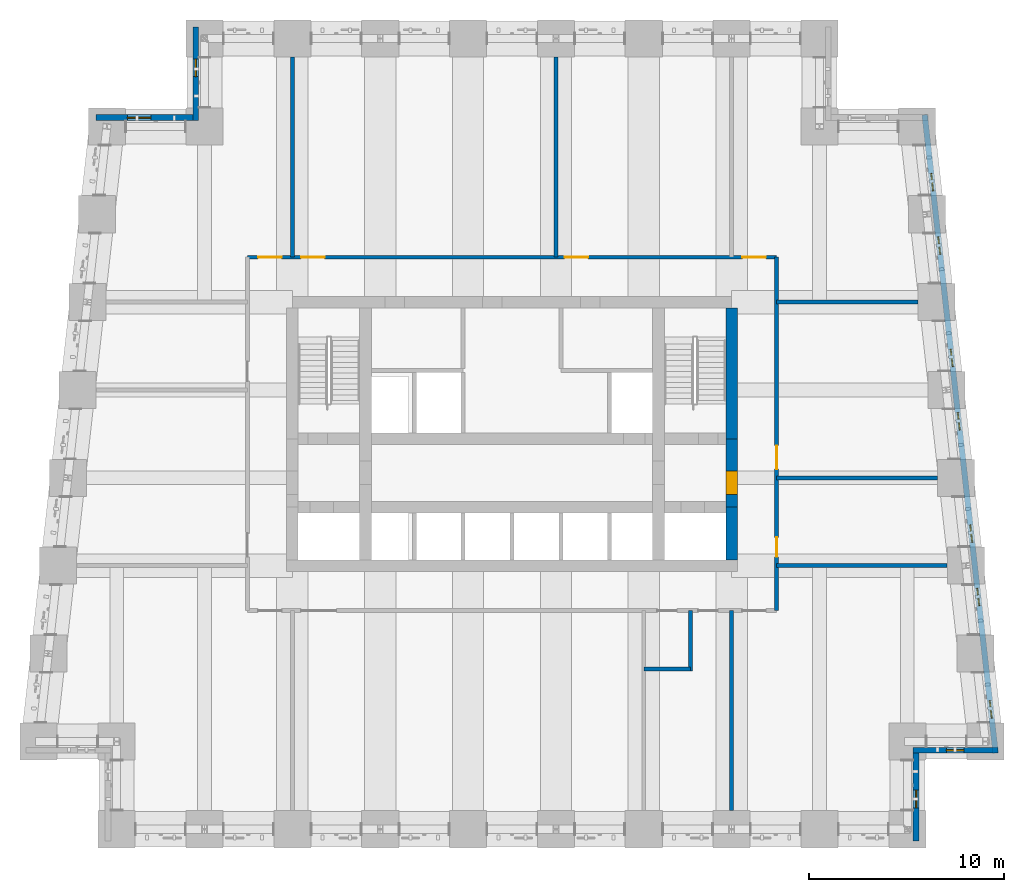
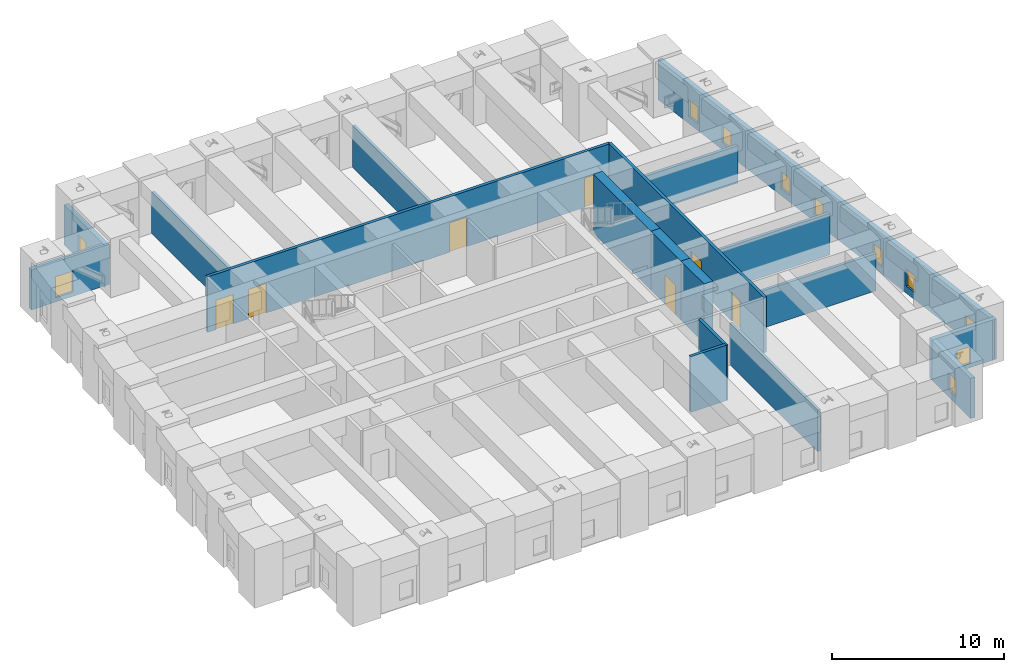
# One storey, part 4 of 16: 18 walls, 11 windows, 7 doors, 18 openings.
"""IFC4 building model written with IfcOpenShell, lengths in metres."""

from ifc_helpers import new_model, si_unit, direction, frame, frame_2d, origin, place, context, subcontext, project, spatial, rectangle, extrude, material, layer, layer_set, type_object, element, fill, save


model = new_model("IFC4")

# Units and contexts
model_context = context("Model", 3, precision=1e-05, world=origin(), true_north=direction((0.0, 1.0)))
body_context = subcontext(model_context, "Body", "Model", "MODEL_VIEW")
ifc_project = project(units=[si_unit("LENGTHUNIT", "METRE"), si_unit("AREAUNIT", "SQUARE_METRE"), si_unit("VOLUMEUNIT", "CUBIC_METRE"), si_unit("PLANEANGLEUNIT", "RADIAN"), si_unit("MASSUNIT", "GRAM", prefix="KILO")], contexts=[model_context])

# Site, building, storey
site_placement = place(None, origin())
site = spatial("IfcSite", under=ifc_project, at=site_placement, CompositionType="ELEMENT")
building_placement = place(site_placement, origin())
building = spatial("IfcBuilding", under=site, at=building_placement, Name="Kilele Tower Hotel", CompositionType="ELEMENT")
storey_placement = place(building_placement, frame((0.0, 0.0, 85.699951171875)))
storey = spatial("IfcBuildingStorey", under=building, at=storey_placement, Name="L21", CompositionType="ELEMENT", Elevation=85.699951171875)

# Wall
ifc_material_1 = material(Name="Concrete C60/75", Category="concrete")
ifc_layer_1 = layer(ifc_material_1, 0.60009765625)
ifc_layer_set_1 = layer_set([ifc_layer_1], Name="Concrete C60/75")
wall_type_1 = type_object("IfcWallType", Name="Core wall 600 C60/75", PredefinedType="SHEAR", material=ifc_layer_set_1)
wall_1_placement = place(storey_placement, frame((36.0, 13.800048828125, 0.0), z_axis=(0.0, 0.0, 1.0), x_axis=(0.0, 1.0, 0.0)))
element("IfcWall", 1, at=wall_1_placement, inside=storey, type_object=wall_type_1, Name="Core wall E1 L21", PredefinedType="SHEAR", context=body_context, shape_type="SweptSolid", body=[
    extrude(rectangle(XDim=2.699951171875, YDim=0.60009765625, at=frame_2d((1.35009765625, 0.0))), origin(), (0.0, 0.0, 1.0), 4.199951171875),
])

# Wall, opening, door
wall_2_placement = place(storey_placement, frame((36.0, 16.5, 0.0), z_axis=(0.0, 0.0, 1.0), x_axis=(0.0, 1.0, 0.0)))
wall_2 = element("IfcWall", 2, at=wall_2_placement, inside=storey, type_object=wall_type_1, Name="Core wall E2 L21", PredefinedType="SHEAR", context=body_context, shape_type="SweptSolid", body=[
    extrude(rectangle(XDim=3.5, YDim=0.60009765625, at=frame_2d((1.75, 0.0))), origin(), (0.0, 0.0, 1.0), 4.199951171875),
])
opening_1_placement = place(wall_2_placement, frame((0.64990234375, 0.0, 0.0)))
opening_1 = element("IfcOpeningElement", 3, at=opening_1_placement, cuts=wall_2, Name="Opening D4", PredefinedType="OPENING", context=body_context, shape_type="SweptSolid", body=[
    extrude(rectangle(XDim=1.199951171875, YDim=2.10009765625, at=frame_2d((0.60009765625, 1.050048828125))), frame((0.0, 0.31005859375, 0.0), z_axis=(0.0, -1.0, 0.0), x_axis=(1.0, 0.0, 0.0)), (0.0, 0.0, 1.0), 0.6201171875),
])
ifc_material_2 = material(Name="Timber door leaf in hardwood frame", Category="wood")
door_type_1 = type_object("IfcDoorType", Name="Firefighting lobby door 1200", OperationType="SINGLE_SWING_LEFT", PredefinedType="DOOR", material=ifc_material_2)
door_1_placement = place(opening_1_placement, origin())
door_1 = element("IfcDoor", 4, at=door_1_placement, inside=storey, type_object=door_type_1, Name="Lobby door L21", OperationType="SINGLE_SWING_LEFT", OverallHeight=2.10009765625, OverallWidth=1.199951171875, PredefinedType="DOOR", context=body_context, shape_type="SweptSolid", body=[
    extrude(rectangle(XDim=1.199951171875, YDim=2.10009765625, at=frame_2d((0.60009765625, 1.050048828125))), frame((0.0, 0.2998046875, 0.0), z_axis=(0.0, -1.0, 0.0), x_axis=(1.0, 0.0, 0.0)), (0.0, 0.0, 1.0), 0.599609375),
])
fill(opening_1, door_1)

# Wall
wall_3_placement = place(storey_placement, frame((36.0, 20.0, 0.0), z_axis=(0.0, 0.0, 1.0), x_axis=(0.0, 1.0, 0.0)))
element("IfcWall", 5, at=wall_3_placement, inside=storey, type_object=wall_type_1, Name="Core wall E3 L21", PredefinedType="SHEAR", context=body_context, shape_type="SweptSolid", body=[
    extrude(rectangle(XDim=6.699951171875, YDim=0.60009765625, at=frame_2d((3.35009765625, 0.0))), origin(), (0.0, 0.0, 1.0), 4.199951171875),
])

# Wall, openings, doors
ifc_material_3 = material(Name="Blockwork, plastered both sides", Category="masonry")
ifc_layer_2 = layer(ifc_material_3, 0.199951171875)
ifc_layer_set_2 = layer_set([ifc_layer_2], Name="Blockwork, plastered both sides")
wall_type_2 = type_object("IfcWallType", Name="Corridor wall 200", PredefinedType="PARTITIONING", material=ifc_layer_set_2)
wall_4_placement = place(storey_placement, frame((38.300048828125, 11.199951171875, 0.0), z_axis=(0.0, 0.0, 1.0), x_axis=(0.0, 1.0, 0.0)))
wall_4 = element("IfcWall", 6, at=wall_4_placement, inside=storey, type_object=wall_type_2, Name="Corridor wall 200 L21", PredefinedType="PARTITIONING", context=body_context, shape_type="SweptSolid", body=[
    extrude(rectangle(XDim=18.10009765625, YDim=0.199951171875, at=frame_2d((9.050048828125, 0.0))), origin(), (0.0, 0.0, 1.0), 3.949951171875),
])
opening_2_placement = place(wall_4_placement, frame((3.75, 0.0, 0.0), z_axis=(0.0, 0.0, 1.0), x_axis=(-1.0, 0.0, 0.0)))
opening_2 = element("IfcOpeningElement", 7, at=opening_2_placement, cuts=wall_4, Name="Opening D7", PredefinedType="OPENING", context=body_context, shape_type="SweptSolid", body=[
    extrude(rectangle(XDim=1.0, YDim=2.10009765625, at=frame_2d((0.5, 1.050048828125))), frame((0.0, 0.10986328125, 0.0), z_axis=(0.0, -1.0, 0.0), x_axis=(1.0, 0.0, 0.0)), (0.0, 0.0, 1.0), 0.219970703125),
])
opening_3_placement = place(wall_4_placement, frame((8.449951171875, 0.0, 0.0), z_axis=(0.0, 0.0, 1.0), x_axis=(-1.0, 0.0, 0.0)))
opening_3 = element("IfcOpeningElement", 8, at=opening_3_placement, cuts=wall_4, Name="Opening D7A", PredefinedType="OPENING", context=body_context, shape_type="SweptSolid", body=[
    extrude(rectangle(XDim=1.199951171875, YDim=2.10009765625, at=frame_2d((0.60009765625, 1.050048828125))), frame((0.0, 0.10986328125, 0.0), z_axis=(0.0, -1.0, 0.0), x_axis=(1.0, 0.0, 0.0)), (0.0, 0.0, 1.0), 0.219970703125),
])
ifc_material_4 = material(Name="Timber door leaf in hardwood frame", Category="wood")
door_type_2 = type_object("IfcDoorType", Name="Plant room door 1000", OperationType="SINGLE_SWING_LEFT", PredefinedType="DOOR", material=ifc_material_4)
door_2_placement = place(opening_2_placement, origin())
door_2 = element("IfcDoor", 9, at=door_2_placement, inside=storey, type_object=door_type_2, Name="Door Low-zone electrical switch room 2104", OperationType="SINGLE_SWING_RIGHT", OverallHeight=2.10009765625, OverallWidth=1.0, PredefinedType="DOOR", context=body_context, shape_type="SweptSolid", body=[
    extrude(rectangle(XDim=1.0, YDim=2.10009765625, at=frame_2d((0.5, 1.050048828125))), frame((0.0, 0.02490234375, 0.0), z_axis=(0.0, -1.0, 0.0), x_axis=(1.0, 0.0, 0.0)), (0.0, 0.0, 1.0), 0.050048828125),
])
fill(opening_2, door_2)
ifc_material_5 = material(Name="Timber door leaf in hardwood frame", Category="wood")
door_type_3 = type_object("IfcDoorType", Name="Plant room door 1200", OperationType="SINGLE_SWING_LEFT", PredefinedType="DOOR", material=ifc_material_5)
door_3_placement = place(opening_3_placement, origin())
door_3 = element("IfcDoor", 10, at=door_3_placement, inside=storey, type_object=door_type_3, Name="Door Low-zone air handling plant room 2105", OperationType="SINGLE_SWING_RIGHT", OverallHeight=2.10009765625, OverallWidth=1.199951171875, PredefinedType="DOOR", context=body_context, shape_type="SweptSolid", body=[
    extrude(rectangle(XDim=1.199951171875, YDim=2.10009765625, at=frame_2d((0.60009765625, 1.050048828125))), frame((0.0, 0.02490234375, 0.0), z_axis=(0.0, -1.0, 0.0), x_axis=(1.0, 0.0, 0.0)), (0.0, 0.0, 1.0), 0.050048828125),
])
fill(opening_3, door_3)

wall_5_placement = place(storey_placement, frame((11.199951171875, 29.300048828125, 0.0), z_axis=(0.0, 0.0, 1.0), x_axis=(1.0, 0.0, 0.0)))
wall_5 = element("IfcWall", 11, at=wall_5_placement, inside=storey, type_object=wall_type_2, Name="Corridor wall 200 L21", PredefinedType="PARTITIONING", context=body_context, shape_type="SweptSolid", body=[
    extrude(rectangle(XDim=27.10009765625, YDim=0.199951171875, at=frame_2d((13.550048828125, 0.0))), origin(), (0.0, 0.0, 1.0), 3.949951171875),
])
opening_4_placement = place(wall_5_placement, frame((2.75, 0.0, 0.0)))
opening_4 = element("IfcOpeningElement", 12, at=opening_4_placement, cuts=wall_5, Name="Opening D7A", PredefinedType="OPENING", context=body_context, shape_type="SweptSolid", body=[
    extrude(rectangle(XDim=1.199951171875, YDim=2.10009765625, at=frame_2d((0.60009765625, 1.050048828125))), frame((0.0, 0.10986328125, 0.0), z_axis=(0.0, -1.0, 0.0), x_axis=(1.0, 0.0, 0.0)), (0.0, 0.0, 1.0), 0.219970703125),
])
opening_5_placement = place(wall_5_placement, frame((16.25, 0.0, 0.0)))
opening_5 = element("IfcOpeningElement", 13, at=opening_5_placement, cuts=wall_5, Name="Opening D7A", PredefinedType="OPENING", context=body_context, shape_type="SweptSolid", body=[
    extrude(rectangle(XDim=1.199951171875, YDim=2.10009765625, at=frame_2d((0.60009765625, 1.050048828125))), frame((0.0, 0.10986328125, 0.0), z_axis=(0.0, -1.0, 0.0), x_axis=(1.0, 0.0, 0.0)), (0.0, 0.0, 1.0), 0.219970703125),
])
opening_6_placement = place(wall_5_placement, frame((0.550048828125, 0.0, 0.0)))
opening_6 = element("IfcOpeningElement", 14, at=opening_6_placement, cuts=wall_5, Name="Opening D7A", PredefinedType="OPENING", context=body_context, shape_type="SweptSolid", body=[
    extrude(rectangle(XDim=1.199951171875, YDim=2.10009765625, at=frame_2d((0.60009765625, 1.050048828125))), frame((0.0, 0.10986328125, 0.0), z_axis=(0.0, -1.0, 0.0), x_axis=(1.0, 0.0, 0.0)), (0.0, 0.0, 1.0), 0.219970703125),
])
opening_7_placement = place(wall_5_placement, frame((25.35009765625, 0.0, 0.0)))
opening_7 = element("IfcOpeningElement", 15, at=opening_7_placement, cuts=wall_5, Name="Opening D7A", PredefinedType="OPENING", context=body_context, shape_type="SweptSolid", body=[
    extrude(rectangle(XDim=1.199951171875, YDim=2.10009765625, at=frame_2d((0.60009765625, 1.050048828125))), frame((0.0, 0.10986328125, 0.0), z_axis=(0.0, -1.0, 0.0), x_axis=(1.0, 0.0, 0.0)), (0.0, 0.0, 1.0), 0.219970703125),
])
door_4_placement = place(opening_4_placement, origin())
door_4 = element("IfcDoor", 16, at=door_4_placement, inside=storey, type_object=door_type_3, Name="Door Low-zone chilled water heat exchanger room 2106", OperationType="SINGLE_SWING_LEFT", OverallHeight=2.10009765625, OverallWidth=1.199951171875, PredefinedType="DOOR", context=body_context, shape_type="SweptSolid", body=[
    extrude(rectangle(XDim=1.199951171875, YDim=2.10009765625, at=frame_2d((0.60009765625, 1.050048828125))), frame((0.0, 0.02490234375, 0.0), z_axis=(0.0, -1.0, 0.0), x_axis=(1.0, 0.0, 0.0)), (0.0, 0.0, 1.0), 0.050048828125),
])
fill(opening_4, door_4)
door_5_placement = place(opening_5_placement, origin())
door_5 = element("IfcDoor", 17, at=door_5_placement, inside=storey, type_object=door_type_3, Name="Door Low-zone water booster pump room 2107", OperationType="SINGLE_SWING_LEFT", OverallHeight=2.10009765625, OverallWidth=1.199951171875, PredefinedType="DOOR", context=body_context, shape_type="SweptSolid", body=[
    extrude(rectangle(XDim=1.199951171875, YDim=2.10009765625, at=frame_2d((0.60009765625, 1.050048828125))), frame((0.0, 0.02490234375, 0.0), z_axis=(0.0, -1.0, 0.0), x_axis=(1.0, 0.0, 0.0)), (0.0, 0.0, 1.0), 0.050048828125),
])
fill(opening_5, door_5)
door_6_placement = place(opening_6_placement, origin())
door_6 = element("IfcDoor", 18, at=door_6_placement, inside=storey, type_object=door_type_3, Name="Door Low-zone hot water calorifier room 2112", OperationType="SINGLE_SWING_RIGHT", OverallHeight=2.10009765625, OverallWidth=1.199951171875, PredefinedType="DOOR", context=body_context, shape_type="SweptSolid", body=[
    extrude(rectangle(XDim=1.199951171875, YDim=2.10009765625, at=frame_2d((0.60009765625, 1.050048828125))), frame((0.0, 0.02490234375, 0.0), z_axis=(0.0, -1.0, 0.0), x_axis=(1.0, 0.0, 0.0)), (0.0, 0.0, 1.0), 0.050048828125),
])
fill(opening_6, door_6)
door_7_placement = place(opening_7_placement, origin())
door_7 = element("IfcDoor", 19, at=door_7_placement, inside=storey, type_object=door_type_3, Name="Door Low-zone transformer room 2113", OperationType="SINGLE_SWING_LEFT", OverallHeight=2.10009765625, OverallWidth=1.199951171875, PredefinedType="DOOR", context=body_context, shape_type="SweptSolid", body=[
    extrude(rectangle(XDim=1.199951171875, YDim=2.10009765625, at=frame_2d((0.60009765625, 1.050048828125))), frame((0.0, 0.02490234375, 0.0), z_axis=(0.0, -1.0, 0.0), x_axis=(1.0, 0.0, 0.0)), (0.0, 0.0, 1.0), 0.050048828125),
])
fill(opening_7, door_7)

# Walls
ifc_material_6 = material(Name="Blockwork, plastered both sides", Category="masonry")
ifc_layer_3 = layer(ifc_material_6, 0.199951171875)
ifc_layer_set_3 = layer_set([ifc_layer_3], Name="Blockwork, plastered both sides")
wall_type_3 = type_object("IfcWallType", Name="Partition wall 200", PredefinedType="PARTITIONING", material=ifc_layer_set_3)
wall_6_placement = place(storey_placement, frame((36.0, 11.199951171875, 0.0), z_axis=(0.0, 0.0, 1.0), x_axis=(0.0, -1.0, 0.0)))
element("IfcWall", 20, at=wall_6_placement, inside=storey, type_object=wall_type_3, Name="Partition wall 200 L21", PredefinedType="PARTITIONING", context=body_context, shape_type="SweptSolid", body=[
    extrude(rectangle(XDim=10.25, YDim=0.199951171875, at=frame_2d((5.125, 0.0))), origin(), (0.0, 0.0, 1.0), 2.949951171875),
])
wall_7_placement = place(storey_placement, frame((38.300048828125, 13.5, 0.0), z_axis=(0.0, 0.0, 1.0), x_axis=(1.0, 0.0, 0.0)))
element("IfcWall", 21, at=wall_7_placement, inside=storey, type_object=wall_type_3, Name="Partition wall 200 L21", PredefinedType="PARTITIONING", context=body_context, shape_type="SweptSolid", body=[
    extrude(rectangle(XDim=8.739013671875, YDim=0.199951171875, at=frame_2d((4.36962890625, 0.0))), origin(), (0.0, 0.0, 1.0), 2.650146484375),
])
wall_8_placement = place(storey_placement, frame((38.300048828125, 18.0, 0.0), z_axis=(0.0, 0.0, 1.0), x_axis=(1.0, 0.0, 0.0)))
element("IfcWall", 22, at=wall_8_placement, inside=storey, type_object=wall_type_3, Name="Partition wall 200 L21", PredefinedType="PARTITIONING", context=body_context, shape_type="SweptSolid", body=[
    extrude(rectangle(XDim=8.239013671875, YDim=0.199951171875, at=frame_2d((4.11962890625, 0.0))), origin(), (0.0, 0.0, 1.0), 2.949951171875),
])
wall_9_placement = place(storey_placement, frame((38.300048828125, 27.0, 0.0), z_axis=(0.0, 0.0, 1.0), x_axis=(1.0, 0.0, 0.0)))
element("IfcWall", 23, at=wall_9_placement, inside=storey, type_object=wall_type_3, Name="Partition wall 200 L21", PredefinedType="PARTITIONING", context=body_context, shape_type="SweptSolid", body=[
    extrude(rectangle(XDim=7.239013671875, YDim=0.199951171875, at=frame_2d((3.61962890625, 0.0))), origin(), (0.0, 0.0, 1.0), 2.650146484375),
])
for number, where, z_axis, x_axis, name in (
    (24, (13.5, 29.300048828125, 0.0), (0.0, 0.0, 1.0), (0.0, 1.0, 0.0), "Partition wall 200 L21"),
    (25, (27.0, 29.300048828125, 0.0), (0.0, 0.0, 1.0), (0.0, 1.0, 0.0), "Partition wall 200 L21"),
):
    element("IfcWall", number, at=place(storey_placement, frame(where, z_axis=z_axis, x_axis=x_axis)), inside=storey, type_object=wall_type_3, Name=name, PredefinedType="PARTITIONING", context=body_context, shape_type="SweptSolid", body=[
        extrude(rectangle(XDim=10.25, YDim=0.199951171875, at=frame_2d((5.125, 0.0))), origin(), (0.0, 0.0, 1.0), 2.949951171875),
    ])
wall_10_placement = place(storey_placement, frame((33.89990234375, 11.199951171875, 0.0), z_axis=(0.0, 0.0, 1.0), x_axis=(0.0, -1.0, 0.0)))
element("IfcWall", 26, at=wall_10_placement, inside=storey, type_object=wall_type_3, Name="Partition wall 200 L21", PredefinedType="PARTITIONING", context=body_context, shape_type="SweptSolid", body=[
    extrude(rectangle(XDim=3.099853515625, YDim=0.199951171875, at=frame_2d((1.5498046875, 0.0))), origin(), (0.0, 0.0, 1.0), 3.949951171875),
])
wall_11_placement = place(storey_placement, frame((31.5, 8.199951171875, 0.0), z_axis=(0.0, 0.0, 1.0), x_axis=(1.0, 0.0, 0.0)))
element("IfcWall", 27, at=wall_11_placement, inside=storey, type_object=wall_type_3, Name="Partition wall 200 L21", PredefinedType="PARTITIONING", context=body_context, shape_type="SweptSolid", body=[
    extrude(rectangle(XDim=2.39990234375, YDim=0.199951171875, at=frame_2d((1.199951171875, 0.0))), origin(), (0.0, 0.0, 1.0), 3.949951171875),
])

# Wall, opening, window
ifc_material_7 = material(Name="Concrete C40/50 precast", Category="concrete")
ifc_layer_4 = layer(ifc_material_7, 0.260009765625, Name="Precast backing", Category="LoadBearing")
ifc_material_8 = material(Name="Reconstituted stone finish", Category="masonry")
ifc_layer_5 = layer(ifc_material_8, 0.0400390625, Name="Face mix", Category="Finish")
ifc_layer_set_4 = layer_set([ifc_layer_4, ifc_layer_5], Name="Precast concrete C40/50, reconstituted stone finish")
wall_type_4 = type_object("IfcWallType", Name="Precast stone facade wall 300", PredefinedType="STANDARD", material=ifc_layer_set_4)
wall_12_placement = place(storey_placement, frame((45.449951171875, -0.60009765625, 0.0), z_axis=(0.0, 0.0, 1.0), x_axis=(0.0, 1.0, 0.0)))
wall_12 = element("IfcWall", 28, at=wall_12_placement, inside=storey, type_object=wall_type_4, Name="Facade wall L21 edge 4", PredefinedType="STANDARD", context=body_context, shape_type="SweptSolid", body=[
    extrude(rectangle(XDim=4.800048828125, YDim=0.300048828125, at=frame_2d((2.39990234375, 0.0))), origin(), (0.0, 0.0, 1.0), 2.85009765625),
])
opening_8_placement = place(wall_12_placement, frame((1.699951171875, 0.0, 0.5)))
opening_8 = element("IfcOpeningElement", 29, at=opening_8_placement, cuts=wall_12, Name="Opening LV1", PredefinedType="OPENING", context=body_context, shape_type="SweptSolid", body=[
    extrude(rectangle(XDim=0.89990234375, YDim=1.199951171875, at=frame_2d((0.449951171875, 0.60009765625))), frame((0.0, 0.159912109375, 0.0), z_axis=(0.0, -1.0, 0.0), x_axis=(1.0, 0.0, 0.0)), (0.0, 0.0, 1.0), 0.320068359375),
])
ifc_material_9 = material(Name="Aluminium weather louvre with insect mesh", Category="aluminium")
window_type_1 = type_object("IfcWindowType", Name="Ventilation louvre 900 x 1200", PartitioningType="SINGLE_PANEL", PredefinedType="USERDEFINED", material=ifc_material_9)
window_1_placement = place(opening_8_placement, origin())
window_1 = element("IfcWindow", 30, at=window_1_placement, inside=storey, type_object=window_type_1, Name="Louvre L21", ObjectType="LOUVRE", OverallHeight=1.199951171875, OverallWidth=0.89990234375, PartitioningType="SINGLE_PANEL", PredefinedType="USERDEFINED", context=body_context, shape_type="SweptSolid", body=[
    extrude(rectangle(XDim=0.89990234375, YDim=1.199951171875, at=frame_2d((0.449951171875, 0.60009765625))), frame((0.0, 0.030029296875, 0.0), z_axis=(0.0, -1.0, 0.0), x_axis=(1.0, 0.0, 0.0)), (0.0, 0.0, 1.0), 0.06005859375),
])
fill(opening_8, window_1)

wall_13_placement = place(storey_placement, frame((45.300048828125, 4.050048828125, 0.0), z_axis=(0.0, 0.0, 1.0), x_axis=(1.0, 0.0, 0.0)))
wall_13 = element("IfcWall", 31, at=wall_13_placement, inside=storey, type_object=wall_type_4, Name="Facade wall L21 edge 5", PredefinedType="STANDARD", context=body_context, shape_type="SweptSolid", body=[
    extrude(rectangle(XDim=4.352783203125, YDim=0.300048828125, at=frame_2d((2.17626953125, 0.0))), origin(), (0.0, 0.0, 1.0), 2.85009765625),
])
opening_9_placement = place(wall_13_placement, frame((1.699951171875, 0.0, 0.300048828125)))
opening_9 = element("IfcOpeningElement", 32, at=opening_9_placement, cuts=wall_13, Name="Opening LV1", PredefinedType="OPENING", context=body_context, shape_type="SweptSolid", body=[
    extrude(rectangle(XDim=0.89990234375, YDim=1.199951171875, at=frame_2d((0.449951171875, 0.60009765625))), frame((0.0, 0.159912109375, 0.0), z_axis=(0.0, -1.0, 0.0), x_axis=(1.0, 0.0, 0.0)), (0.0, 0.0, 1.0), 0.320068359375),
])
window_2_placement = place(opening_9_placement, origin())
window_2 = element("IfcWindow", 33, at=window_2_placement, inside=storey, type_object=window_type_1, Name="Louvre L21", ObjectType="LOUVRE", OverallHeight=1.199951171875, OverallWidth=0.89990234375, PartitioningType="SINGLE_PANEL", PredefinedType="USERDEFINED", context=body_context, shape_type="SweptSolid", body=[
    extrude(rectangle(XDim=0.89990234375, YDim=1.199951171875, at=frame_2d((0.449951171875, 0.60009765625))), frame((0.0, 0.030029296875, 0.0), z_axis=(0.0, -1.0, 0.0), x_axis=(1.0, 0.0, 0.0)), (0.0, 0.0, 1.0), 0.06005859375),
])
fill(opening_9, window_2)

# Wall, openings, windows
wall_14_placement = place(storey_placement, frame((49.519287109375, 3.90087890625, 0.0), z_axis=(0.0, 0.0, 1.0), x_axis=(-0.110429082637, 0.993884006164, 0.0)))
wall_14 = element("IfcWall", 34, at=wall_14_placement, inside=storey, type_object=wall_type_4, Name="Facade wall L21 edge 6", PredefinedType="STANDARD", context=body_context, shape_type="SweptSolid", body=[
    extrude(rectangle(XDim=32.8994140625, YDim=0.300048828125, at=frame_2d((16.44970703125, 0.0))), origin(), (0.0, 0.0, 1.0), 2.85009765625),
])
opening_10_placement = place(wall_14_placement, frame((1.802734375, 0.0, 0.5)))
opening_10 = element("IfcOpeningElement", 35, at=opening_10_placement, cuts=wall_14, Name="Opening LV1", PredefinedType="OPENING", context=body_context, shape_type="SweptSolid", body=[
    extrude(rectangle(XDim=0.89990234375, YDim=1.199951171875, at=frame_2d((0.449951171875, 0.60009765625))), frame((0.0, 0.159912109375, 0.0), z_axis=(0.0, -1.0, 0.0), x_axis=(1.0, 0.0, 0.0)), (0.0, 0.0, 1.0), 0.320068359375),
])
opening_11_placement = place(wall_14_placement, frame((7.5947265625, 0.0, 0.5)))
opening_11 = element("IfcOpeningElement", 36, at=opening_11_placement, cuts=wall_14, Name="Opening LV1", PredefinedType="OPENING", context=body_context, shape_type="SweptSolid", body=[
    extrude(rectangle(XDim=0.89990234375, YDim=1.199951171875, at=frame_2d((0.449951171875, 0.60009765625))), frame((0.0, 0.159912109375, 0.0), z_axis=(0.0, -1.0, 0.0), x_axis=(1.0, 0.0, 0.0)), (0.0, 0.0, 1.0), 0.320068359375),
])
opening_12_placement = place(wall_14_placement, frame((10.85791015625, 0.0, 0.5)))
opening_12 = element("IfcOpeningElement", 37, at=opening_12_placement, cuts=wall_14, Name="Opening LV1", PredefinedType="OPENING", context=body_context, shape_type="SweptSolid", body=[
    extrude(rectangle(XDim=0.89990234375, YDim=1.199951171875, at=frame_2d((0.449951171875, 0.60009765625))), frame((0.0, 0.159912109375, 0.0), z_axis=(0.0, -1.0, 0.0), x_axis=(1.0, 0.0, 0.0)), (0.0, 0.0, 1.0), 0.320068359375),
])
opening_13_placement = place(wall_14_placement, frame((16.64990234375, 0.0, 0.5)))
opening_13 = element("IfcOpeningElement", 38, at=opening_13_placement, cuts=wall_14, Name="Opening LV1", PredefinedType="OPENING", context=body_context, shape_type="SweptSolid", body=[
    extrude(rectangle(XDim=0.89990234375, YDim=1.199951171875, at=frame_2d((0.449951171875, 0.60009765625))), frame((0.0, 0.159912109375, 0.0), z_axis=(0.0, -1.0, 0.0), x_axis=(1.0, 0.0, 0.0)), (0.0, 0.0, 1.0), 0.320068359375),
])
opening_14_placement = place(wall_14_placement, frame((19.913818359375, 0.0, 0.5)))
opening_14 = element("IfcOpeningElement", 39, at=opening_14_placement, cuts=wall_14, Name="Opening LV1", PredefinedType="OPENING", context=body_context, shape_type="SweptSolid", body=[
    extrude(rectangle(XDim=0.89990234375, YDim=1.199951171875, at=frame_2d((0.449951171875, 0.60009765625))), frame((0.0, 0.159912109375, 0.0), z_axis=(0.0, -1.0, 0.0), x_axis=(1.0, 0.0, 0.0)), (0.0, 0.0, 1.0), 0.320068359375),
])
opening_15_placement = place(wall_14_placement, frame((25.704833984375, 0.0, 0.5)))
opening_15 = element("IfcOpeningElement", 40, at=opening_15_placement, cuts=wall_14, Name="Opening LV1", PredefinedType="OPENING", context=body_context, shape_type="SweptSolid", body=[
    extrude(rectangle(XDim=0.89990234375, YDim=1.199951171875, at=frame_2d((0.449951171875, 0.60009765625))), frame((0.0, 0.159912109375, 0.0), z_axis=(0.0, -1.0, 0.0), x_axis=(1.0, 0.0, 0.0)), (0.0, 0.0, 1.0), 0.320068359375),
])
opening_16_placement = place(wall_14_placement, frame((28.96875, 0.0, 0.5)))
opening_16 = element("IfcOpeningElement", 41, at=opening_16_placement, cuts=wall_14, Name="Opening LV1", PredefinedType="OPENING", context=body_context, shape_type="SweptSolid", body=[
    extrude(rectangle(XDim=0.89990234375, YDim=1.199951171875, at=frame_2d((0.449951171875, 0.60009765625))), frame((0.0, 0.159912109375, 0.0), z_axis=(0.0, -1.0, 0.0), x_axis=(1.0, 0.0, 0.0)), (0.0, 0.0, 1.0), 0.320068359375),
])
window_3_placement = place(opening_10_placement, origin())
window_3 = element("IfcWindow", 42, at=window_3_placement, inside=storey, type_object=window_type_1, Name="Louvre L21", ObjectType="LOUVRE", OverallHeight=1.199951171875, OverallWidth=0.89990234375, PartitioningType="SINGLE_PANEL", PredefinedType="USERDEFINED", context=body_context, shape_type="SweptSolid", body=[
    extrude(rectangle(XDim=0.89990234375, YDim=1.199951171875, at=frame_2d((0.449951171875, 0.60009765625))), frame((0.0, 0.030029296875, 0.0), z_axis=(0.0, -1.0, 0.0), x_axis=(1.0, 0.0, 0.0)), (0.0, 0.0, 1.0), 0.06005859375),
])
fill(opening_10, window_3)
window_4_placement = place(opening_11_placement, origin())
window_4 = element("IfcWindow", 43, at=window_4_placement, inside=storey, type_object=window_type_1, Name="Louvre L21", ObjectType="LOUVRE", OverallHeight=1.199951171875, OverallWidth=0.89990234375, PartitioningType="SINGLE_PANEL", PredefinedType="USERDEFINED", context=body_context, shape_type="SweptSolid", body=[
    extrude(rectangle(XDim=0.89990234375, YDim=1.199951171875, at=frame_2d((0.449951171875, 0.60009765625))), frame((0.0, 0.030029296875, 0.0), z_axis=(0.0, -1.0, 0.0), x_axis=(1.0, 0.0, 0.0)), (0.0, 0.0, 1.0), 0.06005859375),
])
fill(opening_11, window_4)
window_5_placement = place(opening_12_placement, origin())
window_5 = element("IfcWindow", 44, at=window_5_placement, inside=storey, type_object=window_type_1, Name="Louvre L21", ObjectType="LOUVRE", OverallHeight=1.199951171875, OverallWidth=0.89990234375, PartitioningType="SINGLE_PANEL", PredefinedType="USERDEFINED", context=body_context, shape_type="SweptSolid", body=[
    extrude(rectangle(XDim=0.89990234375, YDim=1.199951171875, at=frame_2d((0.449951171875, 0.60009765625))), frame((0.0, 0.030029296875, 0.0), z_axis=(0.0, -1.0, 0.0), x_axis=(1.0, 0.0, 0.0)), (0.0, 0.0, 1.0), 0.06005859375),
])
fill(opening_12, window_5)
window_6_placement = place(opening_13_placement, origin())
window_6 = element("IfcWindow", 45, at=window_6_placement, inside=storey, type_object=window_type_1, Name="Louvre L21", ObjectType="LOUVRE", OverallHeight=1.199951171875, OverallWidth=0.89990234375, PartitioningType="SINGLE_PANEL", PredefinedType="USERDEFINED", context=body_context, shape_type="SweptSolid", body=[
    extrude(rectangle(XDim=0.89990234375, YDim=1.199951171875, at=frame_2d((0.449951171875, 0.60009765625))), frame((0.0, 0.030029296875, 0.0), z_axis=(0.0, -1.0, 0.0), x_axis=(1.0, 0.0, 0.0)), (0.0, 0.0, 1.0), 0.06005859375),
])
fill(opening_13, window_6)
window_7_placement = place(opening_14_placement, origin())
window_7 = element("IfcWindow", 46, at=window_7_placement, inside=storey, type_object=window_type_1, Name="Louvre L21", ObjectType="LOUVRE", OverallHeight=1.199951171875, OverallWidth=0.89990234375, PartitioningType="SINGLE_PANEL", PredefinedType="USERDEFINED", context=body_context, shape_type="SweptSolid", body=[
    extrude(rectangle(XDim=0.89990234375, YDim=1.199951171875, at=frame_2d((0.449951171875, 0.60009765625))), frame((0.0, 0.030029296875, 0.0), z_axis=(0.0, -1.0, 0.0), x_axis=(1.0, 0.0, 0.0)), (0.0, 0.0, 1.0), 0.06005859375),
])
fill(opening_14, window_7)
window_8_placement = place(opening_15_placement, origin())
window_8 = element("IfcWindow", 47, at=window_8_placement, inside=storey, type_object=window_type_1, Name="Louvre L21", ObjectType="LOUVRE", OverallHeight=1.199951171875, OverallWidth=0.89990234375, PartitioningType="SINGLE_PANEL", PredefinedType="USERDEFINED", context=body_context, shape_type="SweptSolid", body=[
    extrude(rectangle(XDim=0.89990234375, YDim=1.199951171875, at=frame_2d((0.449951171875, 0.60009765625))), frame((0.0, 0.030029296875, 0.0), z_axis=(0.0, -1.0, 0.0), x_axis=(1.0, 0.0, 0.0)), (0.0, 0.0, 1.0), 0.06005859375),
])
fill(opening_15, window_8)
window_9_placement = place(opening_16_placement, origin())
window_9 = element("IfcWindow", 48, at=window_9_placement, inside=storey, type_object=window_type_1, Name="Louvre L21", ObjectType="LOUVRE", OverallHeight=1.199951171875, OverallWidth=0.89990234375, PartitioningType="SINGLE_PANEL", PredefinedType="USERDEFINED", context=body_context, shape_type="SweptSolid", body=[
    extrude(rectangle(XDim=0.89990234375, YDim=1.199951171875, at=frame_2d((0.449951171875, 0.60009765625))), frame((0.0, 0.030029296875, 0.0), z_axis=(0.0, -1.0, 0.0), x_axis=(1.0, 0.0, 0.0)), (0.0, 0.0, 1.0), 0.06005859375),
])
fill(opening_16, window_9)

# Wall, opening, window
wall_15_placement = place(storey_placement, frame((8.550048828125, 41.10009765625, 0.0), z_axis=(0.0, 0.0, 1.0), x_axis=(0.0, -1.0, 0.0)))
wall_15 = element("IfcWall", 49, at=wall_15_placement, inside=storey, type_object=wall_type_4, Name="Facade wall L21 edge 10", PredefinedType="STANDARD", context=body_context, shape_type="SweptSolid", body=[
    extrude(rectangle(XDim=4.800048828125, YDim=0.300048828125, at=frame_2d((2.39990234375, 0.0))), origin(), (0.0, 0.0, 1.0), 2.85009765625),
])
opening_17_placement = place(wall_15_placement, frame((1.64990234375, 0.0, 0.5)))
opening_17 = element("IfcOpeningElement", 50, at=opening_17_placement, cuts=wall_15, Name="Opening LV1", PredefinedType="OPENING", context=body_context, shape_type="SweptSolid", body=[
    extrude(rectangle(XDim=0.89990234375, YDim=1.199951171875, at=frame_2d((0.449951171875, 0.60009765625))), frame((0.0, 0.159912109375, 0.0), z_axis=(0.0, -1.0, 0.0), x_axis=(1.0, 0.0, 0.0)), (0.0, 0.0, 1.0), 0.320068359375),
])
window_10_placement = place(opening_17_placement, origin())
window_10 = element("IfcWindow", 51, at=window_10_placement, inside=storey, type_object=window_type_1, Name="Louvre L21", ObjectType="LOUVRE", OverallHeight=1.199951171875, OverallWidth=0.89990234375, PartitioningType="SINGLE_PANEL", PredefinedType="USERDEFINED", context=body_context, shape_type="SweptSolid", body=[
    extrude(rectangle(XDim=0.89990234375, YDim=1.199951171875, at=frame_2d((0.449951171875, 0.60009765625))), frame((0.0, 0.030029296875, 0.0), z_axis=(0.0, -1.0, 0.0), x_axis=(1.0, 0.0, 0.0)), (0.0, 0.0, 1.0), 0.06005859375),
])
fill(opening_17, window_10)

wall_16_placement = place(storey_placement, frame((8.699951171875, 36.449951171875, 0.0), z_axis=(0.0, 0.0, 1.0), x_axis=(-1.0, 0.0, 0.0)))
wall_16 = element("IfcWall", 52, at=wall_16_placement, inside=storey, type_object=wall_type_4, Name="Facade wall L21 edge 11", PredefinedType="STANDARD", context=body_context, shape_type="SweptSolid", body=[
    extrude(rectangle(XDim=5.252685546875, YDim=0.300048828125, at=frame_2d((2.62646484375, 0.0))), origin(), (0.0, 0.0, 1.0), 2.85009765625),
])
opening_18_placement = place(wall_16_placement, frame((2.449951171875, 0.0, 0.300048828125)))
opening_18 = element("IfcOpeningElement", 53, at=opening_18_placement, cuts=wall_16, Name="Opening LV1", PredefinedType="OPENING", context=body_context, shape_type="SweptSolid", body=[
    extrude(rectangle(XDim=1.199951171875, YDim=1.5, at=frame_2d((0.60009765625, 0.75))), frame((0.0, 0.159912109375, 0.0), z_axis=(0.0, -1.0, 0.0), x_axis=(1.0, 0.0, 0.0)), (0.0, 0.0, 1.0), 0.320068359375),
])
ifc_material_10 = material(Name="Aluminium weather louvre with insect mesh", Category="aluminium")
window_type_2 = type_object("IfcWindowType", Name="Ventilation louvre 1200 x 1500", PartitioningType="SINGLE_PANEL", PredefinedType="USERDEFINED", material=ifc_material_10)
window_11_placement = place(opening_18_placement, origin())
window_11 = element("IfcWindow", 54, at=window_11_placement, inside=storey, type_object=window_type_2, Name="Louvre L21", ObjectType="LOUVRE", OverallHeight=1.5, OverallWidth=1.199951171875, PartitioningType="SINGLE_PANEL", PredefinedType="USERDEFINED", context=body_context, shape_type="SweptSolid", body=[
    extrude(rectangle(XDim=1.199951171875, YDim=1.5, at=frame_2d((0.60009765625, 0.75))), frame((0.0, 0.030029296875, 0.0), z_axis=(0.0, -1.0, 0.0), x_axis=(1.0, 0.0, 0.0)), (0.0, 0.0, 1.0), 0.06005859375),
])
fill(opening_18, window_11)

save(model, "model.ifc")
